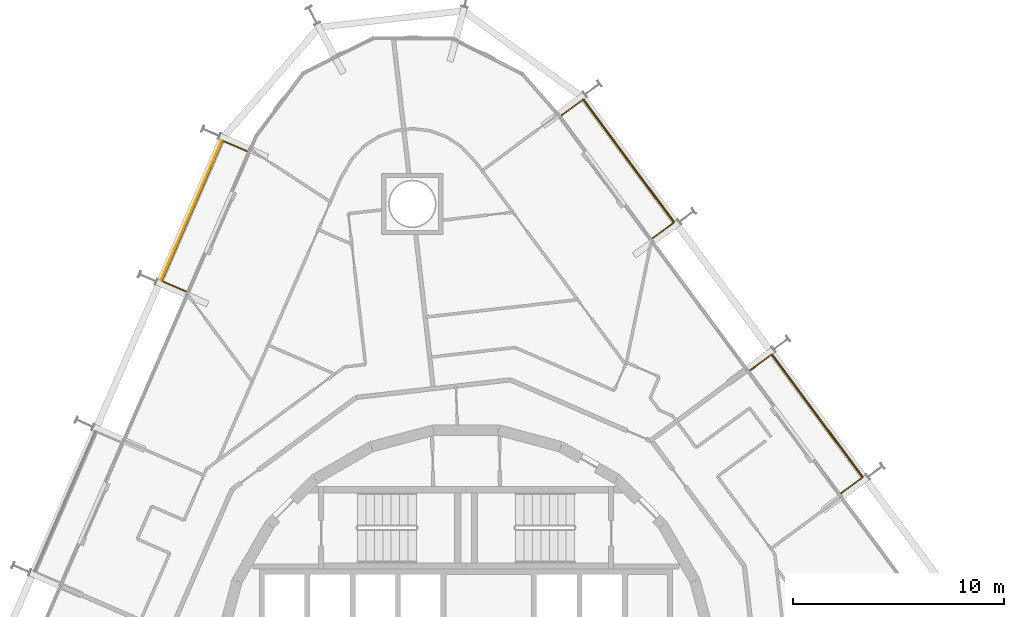
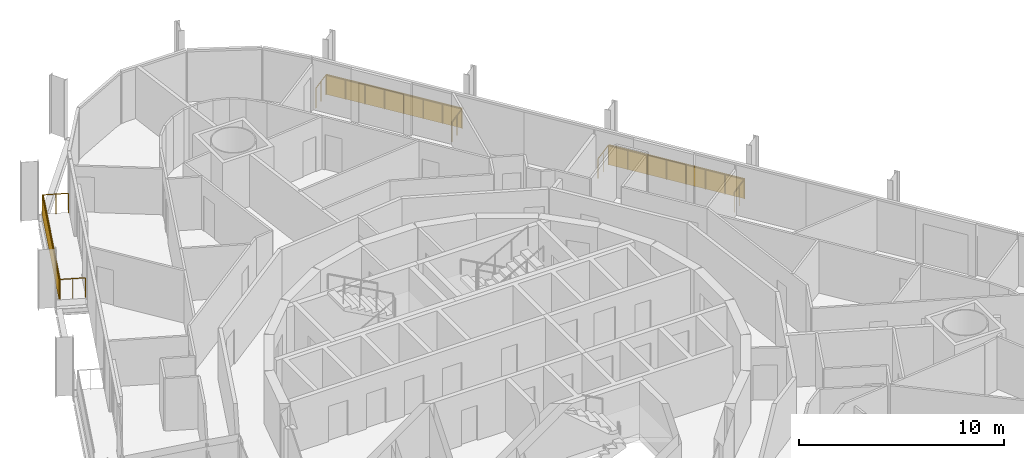
# One storey, part 22 of 22: 3 railings, 3 shading devices.
"""IFC4 building model written with IfcOpenShell, lengths in metres."""

from ifc_helpers import new_model, si_unit, direction, frame, origin, origin_2d, place, context, subcontext, project, spatial, rectangle, circle, extrude, material, layer, layer_set, type_object, element, save


model = new_model("IFC4")

# Units and contexts
model_context = context("Model", 3, precision=1e-05, world=origin(), true_north=direction((0.0, 1.0)))
body_context = subcontext(model_context, "Body", "Model", "MODEL_VIEW")
ifc_project = project(units=[si_unit("LENGTHUNIT", "METRE"), si_unit("AREAUNIT", "SQUARE_METRE"), si_unit("VOLUMEUNIT", "CUBIC_METRE"), si_unit("PLANEANGLEUNIT", "RADIAN"), si_unit("MASSUNIT", "GRAM", prefix="KILO")], contexts=[model_context])

# Site, building, storey
site_placement = place(None, origin())
site = spatial("IfcSite", under=ifc_project, at=site_placement, CompositionType="ELEMENT")
building_placement = place(site_placement, origin())
building = spatial("IfcBuilding", under=site, at=building_placement, Name="Spindle Arch Residences", CompositionType="ELEMENT")
storey_placement = place(building_placement, frame((0.0, 0.0, 80.199951171875)))
storey = spatial("IfcBuildingStorey", under=building, at=storey_placement, Name="L18", CompositionType="ELEMENT", Elevation=80.199951171875)

# Railings
ifc_material_1 = material(Name="Bronze anodised aluminium guard with glass infill", Category="aluminium")
railing_type = type_object("IfcRailingType", Name="Balcony guard 1200", PredefinedType="GUARDRAIL", material=ifc_material_1)
railing_1_placement = place(storey_placement, frame((17.788818359375, 8.654296875, 0.0)))
element("IfcRailing", 1, at=railing_1_placement, inside=storey, type_object=railing_type, Name="Guard L18 bay 8", PredefinedType="GUARDRAIL", context=body_context, shape_type="SweptSolid", body=[
    extrude(circle(Radius=0.02392578125, at=origin_2d()), frame((0.0, 0.0, 1.17578125), z_axis=(0.803826957932, 0.594863195787, 0.0), x_axis=(-0.594863195787, 0.803826957932, 0.0)), (0.0, 0.0, 1.0), 1.250244140625),
    extrude(circle(Radius=0.02392578125, at=origin_2d()), frame((1.0048828125, 0.74365234375, 1.17578125), z_axis=(-0.594830382786, 0.803851239792, 0.0), x_axis=(-0.803851239792, -0.594830382786, 0.0)), (0.0, 0.0, 1.0), 7.248779296875),
    extrude(circle(Radius=0.02392578125, at=origin_2d()), frame((-3.306884765625, 6.570556640625, 1.17578125), z_axis=(-0.803920341668, -0.594736987459, 0.0), x_axis=(0.594736987459, -0.803920341668, 0.0)), (0.0, 0.0, 1.0), 1.25),
    extrude(circle(Radius=0.02099609375, at=origin_2d()), origin(), (0.0, 0.0, 1.0), 1.15185546875),
    extrude(circle(Radius=0.02099609375, at=origin_2d()), frame((0.50244140625, 0.371826171875, 0.0)), (0.0, 0.0, 1.0), 1.15185546875),
    extrude(circle(Radius=0.02099609375, at=origin_2d()), frame((1.0048828125, 0.74365234375, 0.0)), (0.0, 0.0, 1.0), 1.15185546875),
    extrude(circle(Radius=0.02099609375, at=origin_2d()), frame((0.388916015625, 1.576171875, 0.0)), (0.0, 0.0, 1.0), 1.15185546875),
    extrude(circle(Radius=0.02099609375, at=origin_2d()), frame((-0.22705078125, 2.408447265625, 0.0)), (0.0, 0.0, 1.0), 1.15185546875),
    extrude(circle(Radius=0.02099609375, at=origin_2d()), frame((-0.843017578125, 3.240966796875, 0.0)), (0.0, 0.0, 1.0), 1.15185546875),
    extrude(circle(Radius=0.02099609375, at=origin_2d()), frame((-1.458984375, 4.0732421875, 0.0)), (0.0, 0.0, 1.0), 1.15185546875),
    extrude(circle(Radius=0.02099609375, at=origin_2d()), frame((-2.074951171875, 4.90576171875, 0.0)), (0.0, 0.0, 1.0), 1.15185546875),
    extrude(circle(Radius=0.02099609375, at=origin_2d()), frame((-2.69091796875, 5.738037109375, 0.0)), (0.0, 0.0, 1.0), 1.15185546875),
    extrude(circle(Radius=0.02099609375, at=origin_2d()), frame((-3.306884765625, 6.570556640625, 0.0)), (0.0, 0.0, 1.0), 1.15185546875),
    extrude(circle(Radius=0.02099609375, at=origin_2d()), frame((-3.809326171875, 6.19873046875, 0.0)), (0.0, 0.0, 1.0), 1.15185546875),
    extrude(circle(Radius=0.02099609375, at=origin_2d()), frame((-4.311767578125, 5.8271484375, 0.0)), (0.0, 0.0, 1.0), 1.15185546875),
])
railing_2_placement = place(storey_placement, frame((8.84423828125, 20.742431640625, 0.0)))
element("IfcRailing", 2, at=railing_2_placement, inside=storey, type_object=railing_type, Name="Guard L18 bay 10", PredefinedType="GUARDRAIL", context=body_context, shape_type="SweptSolid", body=[
    extrude(circle(Radius=0.02392578125, at=origin_2d()), frame((0.0, 0.0, 1.17578125), z_axis=(0.803851239792, 0.594830382786, 0.0), x_axis=(-0.594830382786, 0.803851239792, 0.0)), (0.0, 0.0, 1.0), 1.249755859375),
    extrude(circle(Radius=0.02392578125, at=origin_2d()), frame((1.004638671875, 0.743408203125, 1.17578125), z_axis=(-0.594814278624, 0.803863156231, 0.0), x_axis=(-0.803863156231, -0.594814278624, 0.0)), (0.0, 0.0, 1.0), 7.2490234375),
    extrude(circle(Radius=0.02392578125, at=origin_2d()), frame((-3.30712890625, 6.570556640625, 1.17578125), z_axis=(-0.803757834758, -0.594956589228, 0.0), x_axis=(0.594956589228, -0.803757834758, 0.0)), (0.0, 0.0, 1.0), 1.25),
    extrude(circle(Radius=0.02099609375, at=origin_2d()), origin(), (0.0, 0.0, 1.0), 1.15185546875),
    extrude(circle(Radius=0.02099609375, at=origin_2d()), frame((0.50244140625, 0.37158203125, 0.0)), (0.0, 0.0, 1.0), 1.15185546875),
    extrude(circle(Radius=0.02099609375, at=origin_2d()), frame((1.004638671875, 0.743408203125, 0.0)), (0.0, 0.0, 1.0), 1.15185546875),
    extrude(circle(Radius=0.02099609375, at=origin_2d()), frame((0.388671875, 1.575927734375, 0.0)), (0.0, 0.0, 1.0), 1.15185546875),
    extrude(circle(Radius=0.02099609375, at=origin_2d()), frame((-0.227294921875, 2.408203125, 0.0)), (0.0, 0.0, 1.0), 1.15185546875),
    extrude(circle(Radius=0.02099609375, at=origin_2d()), frame((-0.84326171875, 3.24072265625, 0.0)), (0.0, 0.0, 1.0), 1.15185546875),
    extrude(circle(Radius=0.02099609375, at=origin_2d()), frame((-1.459228515625, 4.0732421875, 0.0)), (0.0, 0.0, 1.0), 1.15185546875),
    extrude(circle(Radius=0.02099609375, at=origin_2d()), frame((-2.0751953125, 4.90576171875, 0.0)), (0.0, 0.0, 1.0), 1.15185546875),
    extrude(circle(Radius=0.02099609375, at=origin_2d()), frame((-2.691162109375, 5.738037109375, 0.0)), (0.0, 0.0, 1.0), 1.15185546875),
    extrude(circle(Radius=0.02099609375, at=origin_2d()), frame((-3.30712890625, 6.570556640625, 0.0)), (0.0, 0.0, 1.0), 1.15185546875),
    extrude(circle(Radius=0.02099609375, at=origin_2d()), frame((-3.8095703125, 6.19873046875, 0.0)), (0.0, 0.0, 1.0), 1.15185546875),
    extrude(circle(Radius=0.02099609375, at=origin_2d()), frame((-4.311767578125, 5.826904296875, 0.0)), (0.0, 0.0, 1.0), 1.15185546875),
])
railing_3_placement = place(storey_placement, frame((-10.39306640625, 24.868896484375, 0.0)))
element("IfcRailing", 3, at=railing_3_placement, inside=storey, type_object=railing_type, Name="Guard L18 bay 14", PredefinedType="GUARDRAIL", context=body_context, shape_type="SweptSolid", body=[
    extrude(circle(Radius=0.02392578125, at=origin_2d()), frame((0.0, 0.0, 1.17578125), z_axis=(-0.917020365572, 0.398840380511, 0.0), x_axis=(-0.398840380511, -0.917020365572, 0.0)), (0.0, 0.0, 1.0), 1.25),
    extrude(circle(Radius=0.02392578125, at=origin_2d()), frame((-1.146240234375, 0.49853515625, 1.17578125), z_axis=(-0.3987630566, -0.917053992244, 0.0), x_axis=(0.917053992244, -0.3987630566, 0.0)), (0.0, 0.0, 1.0), 7.2490234375),
    extrude(circle(Radius=0.02392578125, at=origin_2d()), frame((-4.036865234375, -6.149169921875, 1.17578125), z_axis=(0.917051427253, -0.398768955377, 0.0), x_axis=(0.398768955377, 0.917051427253, 0.0)), (0.0, 0.0, 1.0), 1.250244140625),
    extrude(circle(Radius=0.02099609375, at=origin_2d()), origin(), (0.0, 0.0, 1.0), 1.15185546875),
    extrude(circle(Radius=0.02099609375, at=origin_2d()), frame((-0.5732421875, 0.249267578125, 0.0)), (0.0, 0.0, 1.0), 1.15185546875),
    extrude(circle(Radius=0.02099609375, at=origin_2d()), frame((-1.146240234375, 0.49853515625, 0.0)), (0.0, 0.0, 1.0), 1.15185546875),
    extrude(circle(Radius=0.02099609375, at=origin_2d()), frame((-1.55908203125, -0.451171875, 0.0)), (0.0, 0.0, 1.0), 1.15185546875),
    extrude(circle(Radius=0.02099609375, at=origin_2d()), frame((-1.97216796875, -1.40087890625, 0.0)), (0.0, 0.0, 1.0), 1.15185546875),
    extrude(circle(Radius=0.02099609375, at=origin_2d()), frame((-2.385009765625, -2.3505859375, 0.0)), (0.0, 0.0, 1.0), 1.15185546875),
    extrude(circle(Radius=0.02099609375, at=origin_2d()), frame((-2.798095703125, -3.300048828125, 0.0)), (0.0, 0.0, 1.0), 1.15185546875),
    extrude(circle(Radius=0.02099609375, at=origin_2d()), frame((-3.2109375, -4.249755859375, 0.0)), (0.0, 0.0, 1.0), 1.15185546875),
    extrude(circle(Radius=0.02099609375, at=origin_2d()), frame((-3.6240234375, -5.199462890625, 0.0)), (0.0, 0.0, 1.0), 1.15185546875),
    extrude(circle(Radius=0.02099609375, at=origin_2d()), frame((-4.036865234375, -6.149169921875, 0.0)), (0.0, 0.0, 1.0), 1.15185546875),
    extrude(circle(Radius=0.02099609375, at=origin_2d()), frame((-3.463623046875, -6.3984375, 0.0)), (0.0, 0.0, 1.0), 1.15185546875),
    extrude(circle(Radius=0.02099609375, at=origin_2d()), frame((-2.890380859375, -6.647705078125, 0.0)), (0.0, 0.0, 1.0), 1.15185546875),
])

# Shading devices
ifc_material_2 = material(Name="Bronze perforated cobogo screen")
ifc_layer = layer(ifc_material_2, 0.0390625)
ifc_layer_set = layer_set([ifc_layer], Name="Cobogo screen 1200")
shading_device_type = type_object("IfcShadingDeviceType", Name="Cobogo screen 1200", PredefinedType="USERDEFINED", material=ifc_layer_set)
for number, where, z_axis, x_axis, name in (
    (4, (16.67041015625, 12.33544921875, 0.0), (0.0, 0.0, 1.0), (-0.594822786751, 0.803856860617, 0.0), "Cobogo screen L18 bay 8"),
    (5, (7.7255859375, 24.423583984375, 0.0), (0.0, 0.0, 1.0), (-0.594822786751, 0.803856860617, 0.0), "Cobogo screen L18 bay 10"),
    (6, (-13.021728515625, 22.0595703125, 0.0), (0.0, 0.0, 1.0), (-0.398749068925, -0.917060074385, 0.0), "Cobogo screen L18 bay 14"),
):
    element("IfcShadingDevice", number, at=place(storey_placement, frame(where, z_axis=z_axis, x_axis=x_axis)), inside=storey, type_object=shading_device_type, Name=name, ObjectType="SCREEN", PredefinedType="USERDEFINED", context=body_context, shape_type="SweptSolid", body=[
        extrude(rectangle(XDim=7.248779296875, YDim=0.0390625, at=origin_2d()), origin(), (0.0, 0.0, 1.0), 1.199951171875),
    ])

save(model, "model.ifc")
